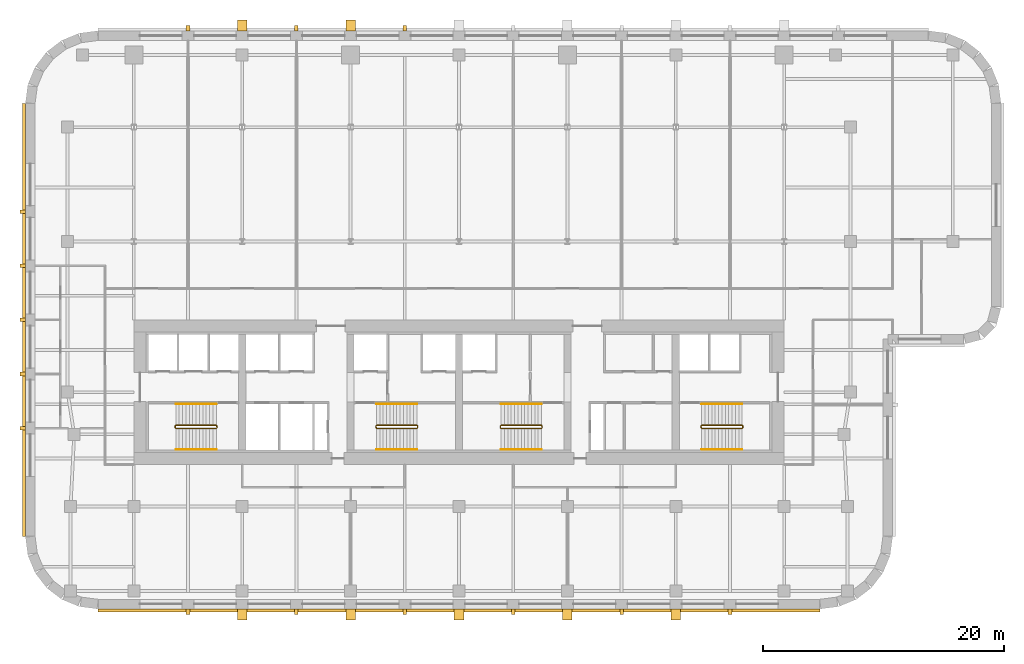
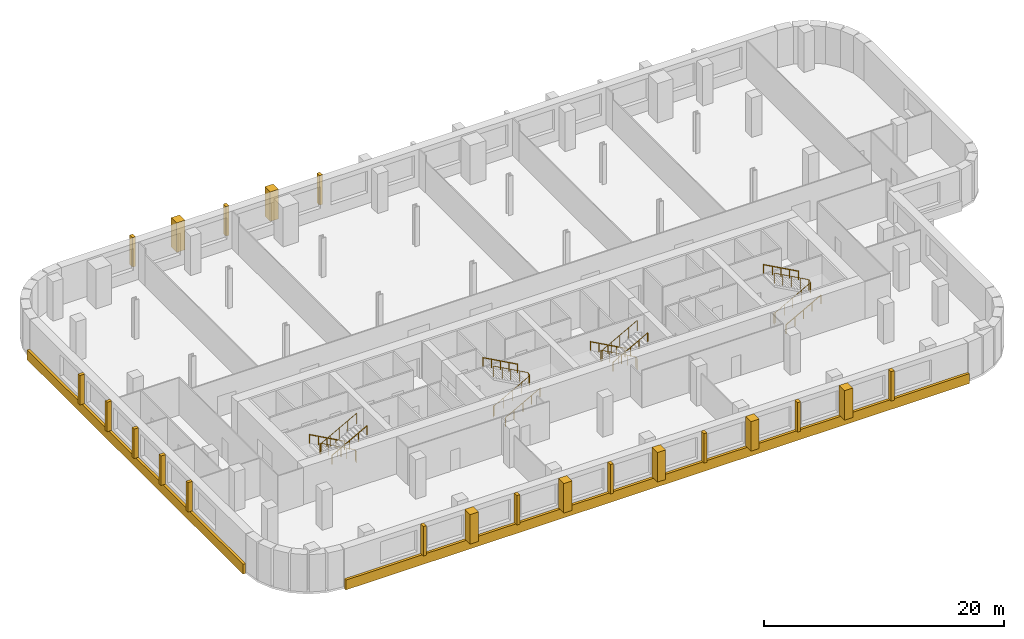
# One storey, part 8 of 9: 23 coverings, 12 railings.
"""IFC4 building model written with IfcOpenShell, lengths in metres."""

from ifc_helpers import new_model, si_unit, direction, frame, origin, origin_2d, place, context, subcontext, project, spatial, polyline, circle, outline, extrude, material, layer, layer_set, type_object, element, save


model = new_model("IFC4")

# Units and contexts
model_context = context("Model", 3, precision=1e-05, world=origin(), true_north=direction((0.0, 1.0)))
body_context = subcontext(model_context, "Body", "Model", "MODEL_VIEW")
ifc_project = project(units=[si_unit("LENGTHUNIT", "METRE"), si_unit("AREAUNIT", "SQUARE_METRE"), si_unit("VOLUMEUNIT", "CUBIC_METRE"), si_unit("PLANEANGLEUNIT", "RADIAN"), si_unit("MASSUNIT", "GRAM", prefix="KILO")], contexts=[model_context])

# Site, building, storey
site_placement = place(None, origin())
site = spatial("IfcSite", under=ifc_project, at=site_placement, CompositionType="ELEMENT")
building_placement = place(site_placement, origin())
building = spatial("IfcBuilding", under=site, at=building_placement, Name="Zellij Exchange Tower", CompositionType="ELEMENT")
storey_placement = place(building_placement, frame((0.0, 0.0, 140.5)))
storey = spatial("IfcBuildingStorey", under=building, at=storey_placement, Name="L31", CompositionType="ELEMENT", Elevation=140.5)

# Railings
ifc_material_1 = material(Name="Stainless steel", Category="steel")
railing_type_1 = type_object("IfcRailingType", Name="CORE-RG stair guard", PredefinedType="GUARDRAIL", material=ifc_material_1)
railing_1_placement = place(storey_placement, frame((-20.10009765625, -10.800048828125, 0.0)))
element("IfcRailing", 1, at=railing_1_placement, inside=storey, type_object=railing_type_1, Name="ST1 stair guard L31", PredefinedType="GUARDRAIL", context=body_context, shape_type="SweptSolid", body=[
    extrude(circle(Radius=0.02392578125, at=origin_2d()), frame((0.0, 0.0, 1.076171875), z_axis=(0.0, -1.0, 0.0), x_axis=(1.0, 0.0, 0.0)), (0.0, 0.0, 1.0), 0.14990234375),
    extrude(circle(Radius=0.02392578125, at=origin_2d()), frame((0.0, -0.14990234375, 1.076171875), z_axis=(-0.193691321961, 0.777613689637, 0.598164376644), x_axis=(-0.970351222016, -0.241699205484, 0.0)), (0.0, 0.0, 1.0), 0.257080078125),
    extrude(circle(Radius=0.02392578125, at=origin_2d()), frame((-0.0498046875, 0.050048828125, 1.22998046875), z_axis=(-0.876421534553, 0.0, 0.481544695509), x_axis=(0.0, -1.0, 0.0)), (0.0, 0.0, 1.0), 3.833984375),
    extrude(circle(Radius=0.02392578125, at=origin_2d()), frame((-3.409912109375, 0.050048828125, 3.076171875), z_axis=(-0.707106781187, -0.707106781187, 0.0), x_axis=(0.707106781187, -0.707106781187, 0.0)), (0.0, 0.0, 1.0), 0.07080078125),
    extrude(circle(Radius=0.02392578125, at=origin_2d()), frame((-3.4599609375, 0.0, 3.076171875), z_axis=(0.0, -1.0, 0.0), x_axis=(1.0, 0.0, 0.0)), (0.0, 0.0, 1.0), 0.14990234375),
    extrude(circle(Radius=0.02392578125, at=origin_2d()), frame((-3.4599609375, -0.14990234375, 3.076171875), z_axis=(0.295599637079, -0.295599637079, 0.908428152975), x_axis=(0.707106781187, 0.707106781187, 0.0)), (0.0, 0.0, 1.0), 0.16943359375),
    extrude(circle(Radius=0.02392578125, at=origin_2d()), frame((-3.409912109375, -0.199951171875, 3.22998046875), z_axis=(0.876421534553, 0.0, 0.481544695509), x_axis=(0.0, 1.0, 0.0)), (0.0, 0.0, 1.0), 3.833984375),
    extrude(circle(Radius=0.02099609375, at=origin_2d()), origin(), (0.0, 0.0, 1.0), 1.052001953125),
    extrude(circle(Radius=0.02099609375, at=origin_2d()), frame((0.0, -0.14990234375, 0.0)), (0.0, 0.0, 1.0), 1.052001953125),
    extrude(circle(Radius=0.02099609375, at=origin_2d()), frame((-0.0498046875, 0.050048828125, 0.15380859375)), (0.0, 0.0, 1.0), 1.052001953125),
    extrude(circle(Radius=0.02099609375, at=origin_2d()), frame((-0.889892578125, 0.050048828125, 0.615234375)), (0.0, 0.0, 1.0), 1.052001953125),
    extrude(circle(Radius=0.02099609375, at=origin_2d()), frame((-1.72998046875, 0.050048828125, 1.076904296875)), (0.0, 0.0, 1.0), 1.052001953125),
    extrude(circle(Radius=0.02099609375, at=origin_2d()), frame((-2.56982421875, 0.050048828125, 1.53857421875)), (0.0, 0.0, 1.0), 1.052001953125),
    extrude(circle(Radius=0.02099609375, at=origin_2d()), frame((-3.409912109375, 0.050048828125, 2.0)), (0.0, 0.0, 1.0), 1.052001953125),
    extrude(circle(Radius=0.02099609375, at=origin_2d()), frame((-3.4599609375, 0.0, 2.0)), (0.0, 0.0, 1.0), 1.052001953125),
    extrude(circle(Radius=0.02099609375, at=origin_2d()), frame((-3.4599609375, -0.14990234375, 2.0)), (0.0, 0.0, 1.0), 1.052001953125),
    extrude(circle(Radius=0.02099609375, at=origin_2d()), frame((-3.409912109375, -0.199951171875, 2.15380859375)), (0.0, 0.0, 1.0), 1.052001953125),
    extrude(circle(Radius=0.02099609375, at=origin_2d()), frame((-2.56982421875, -0.199951171875, 2.615234375)), (0.0, 0.0, 1.0), 1.052001953125),
    extrude(circle(Radius=0.02099609375, at=origin_2d()), frame((-1.72998046875, -0.199951171875, 3.076904296875)), (0.0, 0.0, 1.0), 1.052001953125),
    extrude(circle(Radius=0.02099609375, at=origin_2d()), frame((-0.889892578125, -0.199951171875, 3.53857421875)), (0.0, 0.0, 1.0), 1.052001953125),
    extrude(circle(Radius=0.02099609375, at=origin_2d()), frame((-0.0498046875, -0.199951171875, 4.0)), (0.0, 0.0, 1.0), 1.052001953125),
])
railing_2_placement = place(storey_placement, frame((-6.89990234375, -10.949951171875, 0.0)))
element("IfcRailing", 2, at=railing_2_placement, inside=storey, type_object=railing_type_1, Name="ST2 stair guard L31", PredefinedType="GUARDRAIL", context=body_context, shape_type="SweptSolid", body=[
    extrude(circle(Radius=0.02392578125, at=origin_2d()), frame((0.0, 0.0, 1.076171875), z_axis=(0.0, 1.0, 0.0), x_axis=(-1.0, 0.0, 0.0)), (0.0, 0.0, 1.0), 0.14990234375),
    extrude(circle(Radius=0.02392578125, at=origin_2d()), frame((0.0, 0.14990234375, 1.076171875), z_axis=(0.193691321961, -0.777613689637, 0.598164376644), x_axis=(0.970351222016, 0.241699205484, 0.0)), (0.0, 0.0, 1.0), 0.257080078125),
    extrude(circle(Radius=0.02392578125, at=origin_2d()), frame((0.0498046875, -0.050048828125, 1.22998046875), z_axis=(0.876421534553, 0.0, 0.481544695509), x_axis=(0.0, 1.0, 0.0)), (0.0, 0.0, 1.0), 3.833984375),
    extrude(circle(Radius=0.02392578125, at=origin_2d()), frame((3.409912109375, -0.050048828125, 3.076171875), z_axis=(0.707106781187, 0.707106781187, 0.0), x_axis=(-0.707106781187, 0.707106781187, 0.0)), (0.0, 0.0, 1.0), 0.07080078125),
    extrude(circle(Radius=0.02392578125, at=origin_2d()), frame((3.4599609375, 0.0, 3.076171875), z_axis=(0.0, 1.0, 0.0), x_axis=(-1.0, 0.0, 0.0)), (0.0, 0.0, 1.0), 0.14990234375),
    extrude(circle(Radius=0.02392578125, at=origin_2d()), frame((3.4599609375, 0.14990234375, 3.076171875), z_axis=(-0.295599637079, 0.295599637079, 0.908428152975), x_axis=(-0.707106781187, -0.707106781187, 0.0)), (0.0, 0.0, 1.0), 0.16943359375),
    extrude(circle(Radius=0.02392578125, at=origin_2d()), frame((3.409912109375, 0.199951171875, 3.22998046875), z_axis=(-0.876421534553, 0.0, 0.481544695509), x_axis=(0.0, -1.0, 0.0)), (0.0, 0.0, 1.0), 3.833984375),
    extrude(circle(Radius=0.02099609375, at=origin_2d()), origin(), (0.0, 0.0, 1.0), 1.052001953125),
    extrude(circle(Radius=0.02099609375, at=origin_2d()), frame((0.0, 0.14990234375, 0.0)), (0.0, 0.0, 1.0), 1.052001953125),
    extrude(circle(Radius=0.02099609375, at=origin_2d()), frame((0.0498046875, -0.050048828125, 0.15380859375)), (0.0, 0.0, 1.0), 1.052001953125),
    extrude(circle(Radius=0.02099609375, at=origin_2d()), frame((0.889892578125, -0.050048828125, 0.615234375)), (0.0, 0.0, 1.0), 1.052001953125),
    extrude(circle(Radius=0.02099609375, at=origin_2d()), frame((1.72998046875, -0.050048828125, 1.076904296875)), (0.0, 0.0, 1.0), 1.052001953125),
    extrude(circle(Radius=0.02099609375, at=origin_2d()), frame((2.56982421875, -0.050048828125, 1.53857421875)), (0.0, 0.0, 1.0), 1.052001953125),
    extrude(circle(Radius=0.02099609375, at=origin_2d()), frame((3.409912109375, -0.050048828125, 2.0)), (0.0, 0.0, 1.0), 1.052001953125),
    extrude(circle(Radius=0.02099609375, at=origin_2d()), frame((3.4599609375, 0.0, 2.0)), (0.0, 0.0, 1.0), 1.052001953125),
    extrude(circle(Radius=0.02099609375, at=origin_2d()), frame((3.4599609375, 0.14990234375, 2.0)), (0.0, 0.0, 1.0), 1.052001953125),
    extrude(circle(Radius=0.02099609375, at=origin_2d()), frame((3.409912109375, 0.199951171875, 2.15380859375)), (0.0, 0.0, 1.0), 1.052001953125),
    extrude(circle(Radius=0.02099609375, at=origin_2d()), frame((2.56982421875, 0.199951171875, 2.615234375)), (0.0, 0.0, 1.0), 1.052001953125),
    extrude(circle(Radius=0.02099609375, at=origin_2d()), frame((1.72998046875, 0.199951171875, 3.076904296875)), (0.0, 0.0, 1.0), 1.052001953125),
    extrude(circle(Radius=0.02099609375, at=origin_2d()), frame((0.889892578125, 0.199951171875, 3.53857421875)), (0.0, 0.0, 1.0), 1.052001953125),
    extrude(circle(Radius=0.02099609375, at=origin_2d()), frame((0.0498046875, 0.199951171875, 4.0)), (0.0, 0.0, 1.0), 1.052001953125),
])
railing_3_placement = place(storey_placement, frame((6.89990234375, -10.800048828125, 0.0)))
element("IfcRailing", 3, at=railing_3_placement, inside=storey, type_object=railing_type_1, Name="ST3 stair guard L31", PredefinedType="GUARDRAIL", context=body_context, shape_type="SweptSolid", body=[
    extrude(circle(Radius=0.02392578125, at=origin_2d()), frame((0.0, 0.0, 1.076171875), z_axis=(0.0, -1.0, 0.0), x_axis=(1.0, 0.0, 0.0)), (0.0, 0.0, 1.0), 0.14990234375),
    extrude(circle(Radius=0.02392578125, at=origin_2d()), frame((0.0, -0.14990234375, 1.076171875), z_axis=(-0.193691321961, 0.777613689637, 0.598164376644), x_axis=(-0.970351222016, -0.241699205484, 0.0)), (0.0, 0.0, 1.0), 0.257080078125),
    extrude(circle(Radius=0.02392578125, at=origin_2d()), frame((-0.0498046875, 0.050048828125, 1.22998046875), z_axis=(-0.876421534553, 0.0, 0.481544695509), x_axis=(0.0, -1.0, 0.0)), (0.0, 0.0, 1.0), 3.833984375),
    extrude(circle(Radius=0.02392578125, at=origin_2d()), frame((-3.409912109375, 0.050048828125, 3.076171875), z_axis=(-0.707106781187, -0.707106781187, 0.0), x_axis=(0.707106781187, -0.707106781187, 0.0)), (0.0, 0.0, 1.0), 0.07080078125),
    extrude(circle(Radius=0.02392578125, at=origin_2d()), frame((-3.4599609375, 0.0, 3.076171875), z_axis=(0.0, -1.0, 0.0), x_axis=(1.0, 0.0, 0.0)), (0.0, 0.0, 1.0), 0.14990234375),
    extrude(circle(Radius=0.02392578125, at=origin_2d()), frame((-3.4599609375, -0.14990234375, 3.076171875), z_axis=(0.295599637079, -0.295599637079, 0.908428152975), x_axis=(0.707106781187, 0.707106781187, 0.0)), (0.0, 0.0, 1.0), 0.16943359375),
    extrude(circle(Radius=0.02392578125, at=origin_2d()), frame((-3.409912109375, -0.199951171875, 3.22998046875), z_axis=(0.876421534553, 0.0, 0.481544695509), x_axis=(0.0, 1.0, 0.0)), (0.0, 0.0, 1.0), 3.833984375),
    extrude(circle(Radius=0.02099609375, at=origin_2d()), origin(), (0.0, 0.0, 1.0), 1.052001953125),
    extrude(circle(Radius=0.02099609375, at=origin_2d()), frame((0.0, -0.14990234375, 0.0)), (0.0, 0.0, 1.0), 1.052001953125),
    extrude(circle(Radius=0.02099609375, at=origin_2d()), frame((-0.0498046875, 0.050048828125, 0.15380859375)), (0.0, 0.0, 1.0), 1.052001953125),
    extrude(circle(Radius=0.02099609375, at=origin_2d()), frame((-0.889892578125, 0.050048828125, 0.615234375)), (0.0, 0.0, 1.0), 1.052001953125),
    extrude(circle(Radius=0.02099609375, at=origin_2d()), frame((-1.72998046875, 0.050048828125, 1.076904296875)), (0.0, 0.0, 1.0), 1.052001953125),
    extrude(circle(Radius=0.02099609375, at=origin_2d()), frame((-2.56982421875, 0.050048828125, 1.53857421875)), (0.0, 0.0, 1.0), 1.052001953125),
    extrude(circle(Radius=0.02099609375, at=origin_2d()), frame((-3.409912109375, 0.050048828125, 2.0)), (0.0, 0.0, 1.0), 1.052001953125),
    extrude(circle(Radius=0.02099609375, at=origin_2d()), frame((-3.4599609375, 0.0, 2.0)), (0.0, 0.0, 1.0), 1.052001953125),
    extrude(circle(Radius=0.02099609375, at=origin_2d()), frame((-3.4599609375, -0.14990234375, 2.0)), (0.0, 0.0, 1.0), 1.052001953125),
    extrude(circle(Radius=0.02099609375, at=origin_2d()), frame((-3.409912109375, -0.199951171875, 2.15380859375)), (0.0, 0.0, 1.0), 1.052001953125),
    extrude(circle(Radius=0.02099609375, at=origin_2d()), frame((-2.56982421875, -0.199951171875, 2.615234375)), (0.0, 0.0, 1.0), 1.052001953125),
    extrude(circle(Radius=0.02099609375, at=origin_2d()), frame((-1.72998046875, -0.199951171875, 3.076904296875)), (0.0, 0.0, 1.0), 1.052001953125),
    extrude(circle(Radius=0.02099609375, at=origin_2d()), frame((-0.889892578125, -0.199951171875, 3.53857421875)), (0.0, 0.0, 1.0), 1.052001953125),
    extrude(circle(Radius=0.02099609375, at=origin_2d()), frame((-0.0498046875, -0.199951171875, 4.0)), (0.0, 0.0, 1.0), 1.052001953125),
])
railing_4_placement = place(storey_placement, frame((20.10009765625, -10.949951171875, 0.0)))
element("IfcRailing", 4, at=railing_4_placement, inside=storey, type_object=railing_type_1, Name="ST4 stair guard L31", PredefinedType="GUARDRAIL", context=body_context, shape_type="SweptSolid", body=[
    extrude(circle(Radius=0.02392578125, at=origin_2d()), frame((0.0, 0.0, 1.076171875), z_axis=(0.0, 1.0, 0.0), x_axis=(-1.0, 0.0, 0.0)), (0.0, 0.0, 1.0), 0.14990234375),
    extrude(circle(Radius=0.02392578125, at=origin_2d()), frame((0.0, 0.14990234375, 1.076171875), z_axis=(0.193691321961, -0.777613689637, 0.598164376644), x_axis=(0.970351222016, 0.241699205484, 0.0)), (0.0, 0.0, 1.0), 0.257080078125),
    extrude(circle(Radius=0.02392578125, at=origin_2d()), frame((0.0498046875, -0.050048828125, 1.22998046875), z_axis=(0.876421534553, 0.0, 0.481544695509), x_axis=(0.0, 1.0, 0.0)), (0.0, 0.0, 1.0), 3.833984375),
    extrude(circle(Radius=0.02392578125, at=origin_2d()), frame((3.409912109375, -0.050048828125, 3.076171875), z_axis=(0.707106781187, 0.707106781187, 0.0), x_axis=(-0.707106781187, 0.707106781187, 0.0)), (0.0, 0.0, 1.0), 0.07080078125),
    extrude(circle(Radius=0.02392578125, at=origin_2d()), frame((3.4599609375, 0.0, 3.076171875), z_axis=(0.0, 1.0, 0.0), x_axis=(-1.0, 0.0, 0.0)), (0.0, 0.0, 1.0), 0.14990234375),
    extrude(circle(Radius=0.02392578125, at=origin_2d()), frame((3.4599609375, 0.14990234375, 3.076171875), z_axis=(-0.295599637079, 0.295599637079, 0.908428152975), x_axis=(-0.707106781187, -0.707106781187, 0.0)), (0.0, 0.0, 1.0), 0.16943359375),
    extrude(circle(Radius=0.02392578125, at=origin_2d()), frame((3.409912109375, 0.199951171875, 3.22998046875), z_axis=(-0.876421534553, 0.0, 0.481544695509), x_axis=(0.0, -1.0, 0.0)), (0.0, 0.0, 1.0), 3.833984375),
    extrude(circle(Radius=0.02099609375, at=origin_2d()), origin(), (0.0, 0.0, 1.0), 1.052001953125),
    extrude(circle(Radius=0.02099609375, at=origin_2d()), frame((0.0, 0.14990234375, 0.0)), (0.0, 0.0, 1.0), 1.052001953125),
    extrude(circle(Radius=0.02099609375, at=origin_2d()), frame((0.0498046875, -0.050048828125, 0.15380859375)), (0.0, 0.0, 1.0), 1.052001953125),
    extrude(circle(Radius=0.02099609375, at=origin_2d()), frame((0.889892578125, -0.050048828125, 0.615234375)), (0.0, 0.0, 1.0), 1.052001953125),
    extrude(circle(Radius=0.02099609375, at=origin_2d()), frame((1.72998046875, -0.050048828125, 1.076904296875)), (0.0, 0.0, 1.0), 1.052001953125),
    extrude(circle(Radius=0.02099609375, at=origin_2d()), frame((2.56982421875, -0.050048828125, 1.53857421875)), (0.0, 0.0, 1.0), 1.052001953125),
    extrude(circle(Radius=0.02099609375, at=origin_2d()), frame((3.409912109375, -0.050048828125, 2.0)), (0.0, 0.0, 1.0), 1.052001953125),
    extrude(circle(Radius=0.02099609375, at=origin_2d()), frame((3.4599609375, 0.0, 2.0)), (0.0, 0.0, 1.0), 1.052001953125),
    extrude(circle(Radius=0.02099609375, at=origin_2d()), frame((3.4599609375, 0.14990234375, 2.0)), (0.0, 0.0, 1.0), 1.052001953125),
    extrude(circle(Radius=0.02099609375, at=origin_2d()), frame((3.409912109375, 0.199951171875, 2.15380859375)), (0.0, 0.0, 1.0), 1.052001953125),
    extrude(circle(Radius=0.02099609375, at=origin_2d()), frame((2.56982421875, 0.199951171875, 2.615234375)), (0.0, 0.0, 1.0), 1.052001953125),
    extrude(circle(Radius=0.02099609375, at=origin_2d()), frame((1.72998046875, 0.199951171875, 3.076904296875)), (0.0, 0.0, 1.0), 1.052001953125),
    extrude(circle(Radius=0.02099609375, at=origin_2d()), frame((0.889892578125, 0.199951171875, 3.53857421875)), (0.0, 0.0, 1.0), 1.052001953125),
    extrude(circle(Radius=0.02099609375, at=origin_2d()), frame((0.0498046875, 0.199951171875, 4.0)), (0.0, 0.0, 1.0), 1.052001953125),
])
railing_type_2 = type_object("IfcRailingType", Name="CORE-RH stair handrail", PredefinedType="HANDRAIL", material=ifc_material_1)
railing_5_placement = place(storey_placement, frame((-20.14990234375, -9.0, 0.15380859375)))
element("IfcRailing", 5, at=railing_5_placement, inside=storey, type_object=railing_type_2, Name="ST1 stair handrail L31", PredefinedType="HANDRAIL", context=body_context, shape_type="SweptSolid", body=[
    extrude(circle(Radius=0.02392578125, at=origin_2d()), frame((0.0, 0.0, 0.8759765625), z_axis=(-0.876421534553, 0.0, 0.481544695509), x_axis=(0.0, -1.0, 0.0)), (0.0, 0.0, 1.0), 3.833984375),
    extrude(circle(Radius=0.02099609375, at=origin_2d()), origin(), (0.0, 0.0, 1.0), 0.851806640625),
    extrude(circle(Radius=0.02099609375, at=origin_2d()), frame((-0.840087890625, 0.0, 0.46142578125)), (0.0, 0.0, 1.0), 0.851806640625),
    extrude(circle(Radius=0.02099609375, at=origin_2d()), frame((-1.68017578125, 0.0, 0.923095703125)), (0.0, 0.0, 1.0), 0.851806640625),
    extrude(circle(Radius=0.02099609375, at=origin_2d()), frame((-2.52001953125, 0.0, 1.384765625)), (0.0, 0.0, 1.0), 0.851806640625),
    extrude(circle(Radius=0.02099609375, at=origin_2d()), frame((-3.360107421875, 0.0, 1.84619140625)), (0.0, 0.0, 1.0), 0.851806640625),
])
for number, where, name in (
    (6, (-23.510009765625, -12.75, 2.15380859375), "ST1 stair handrail L31"),
    (7, (-6.85009765625, -12.75, 0.15380859375), "ST2 stair handrail L31"),
):
    element("IfcRailing", number, at=place(storey_placement, frame(where)), inside=storey, type_object=railing_type_2, Name=name, PredefinedType="HANDRAIL", context=body_context, shape_type="SweptSolid", body=[
        extrude(circle(Radius=0.02392578125, at=origin_2d()), frame((0.0, 0.0, 0.8759765625), z_axis=(0.876421534553, 0.0, 0.481544695509), x_axis=(0.0, 1.0, 0.0)), (0.0, 0.0, 1.0), 3.833984375),
        extrude(circle(Radius=0.02099609375, at=origin_2d()), origin(), (0.0, 0.0, 1.0), 0.851806640625),
        extrude(circle(Radius=0.02099609375, at=origin_2d()), frame((0.840087890625, 0.0, 0.46142578125)), (0.0, 0.0, 1.0), 0.851806640625),
        extrude(circle(Radius=0.02099609375, at=origin_2d()), frame((1.68017578125, 0.0, 0.923095703125)), (0.0, 0.0, 1.0), 0.851806640625),
        extrude(circle(Radius=0.02099609375, at=origin_2d()), frame((2.52001953125, 0.0, 1.384765625)), (0.0, 0.0, 1.0), 0.851806640625),
        extrude(circle(Radius=0.02099609375, at=origin_2d()), frame((3.360107421875, 0.0, 1.84619140625)), (0.0, 0.0, 1.0), 0.851806640625),
    ])
for number, where, name in (
    (8, (-3.489990234375, -9.0, 2.15380859375), "ST2 stair handrail L31"),
    (9, (6.85009765625, -9.0, 0.15380859375), "ST3 stair handrail L31"),
):
    element("IfcRailing", number, at=place(storey_placement, frame(where)), inside=storey, type_object=railing_type_2, Name=name, PredefinedType="HANDRAIL", context=body_context, shape_type="SweptSolid", body=[
        extrude(circle(Radius=0.02392578125, at=origin_2d()), frame((0.0, 0.0, 0.8759765625), z_axis=(-0.876421534553, 0.0, 0.481544695509), x_axis=(0.0, -1.0, 0.0)), (0.0, 0.0, 1.0), 3.833984375),
        extrude(circle(Radius=0.02099609375, at=origin_2d()), origin(), (0.0, 0.0, 1.0), 0.851806640625),
        extrude(circle(Radius=0.02099609375, at=origin_2d()), frame((-0.840087890625, 0.0, 0.46142578125)), (0.0, 0.0, 1.0), 0.851806640625),
        extrude(circle(Radius=0.02099609375, at=origin_2d()), frame((-1.68017578125, 0.0, 0.923095703125)), (0.0, 0.0, 1.0), 0.851806640625),
        extrude(circle(Radius=0.02099609375, at=origin_2d()), frame((-2.52001953125, 0.0, 1.384765625)), (0.0, 0.0, 1.0), 0.851806640625),
        extrude(circle(Radius=0.02099609375, at=origin_2d()), frame((-3.360107421875, 0.0, 1.84619140625)), (0.0, 0.0, 1.0), 0.851806640625),
    ])
for number, where, name in (
    (10, (3.489990234375, -12.75, 2.15380859375), "ST3 stair handrail L31"),
    (11, (20.14990234375, -12.75, 0.15380859375), "ST4 stair handrail L31"),
):
    element("IfcRailing", number, at=place(storey_placement, frame(where)), inside=storey, type_object=railing_type_2, Name=name, PredefinedType="HANDRAIL", context=body_context, shape_type="SweptSolid", body=[
        extrude(circle(Radius=0.02392578125, at=origin_2d()), frame((0.0, 0.0, 0.8759765625), z_axis=(0.876421534553, 0.0, 0.481544695509), x_axis=(0.0, 1.0, 0.0)), (0.0, 0.0, 1.0), 3.833984375),
        extrude(circle(Radius=0.02099609375, at=origin_2d()), origin(), (0.0, 0.0, 1.0), 0.851806640625),
        extrude(circle(Radius=0.02099609375, at=origin_2d()), frame((0.840087890625, 0.0, 0.46142578125)), (0.0, 0.0, 1.0), 0.851806640625),
        extrude(circle(Radius=0.02099609375, at=origin_2d()), frame((1.68017578125, 0.0, 0.923095703125)), (0.0, 0.0, 1.0), 0.851806640625),
        extrude(circle(Radius=0.02099609375, at=origin_2d()), frame((2.52001953125, 0.0, 1.384765625)), (0.0, 0.0, 1.0), 0.851806640625),
        extrude(circle(Radius=0.02099609375, at=origin_2d()), frame((3.360107421875, 0.0, 1.84619140625)), (0.0, 0.0, 1.0), 0.851806640625),
    ])
railing_6_placement = place(storey_placement, frame((23.510009765625, -9.0, 2.15380859375)))
element("IfcRailing", 12, at=railing_6_placement, inside=storey, type_object=railing_type_2, Name="ST4 stair handrail L31", PredefinedType="HANDRAIL", context=body_context, shape_type="SweptSolid", body=[
    extrude(circle(Radius=0.02392578125, at=origin_2d()), frame((0.0, 0.0, 0.8759765625), z_axis=(-0.876421534553, 0.0, 0.481544695509), x_axis=(0.0, -1.0, 0.0)), (0.0, 0.0, 1.0), 3.833984375),
    extrude(circle(Radius=0.02099609375, at=origin_2d()), origin(), (0.0, 0.0, 1.0), 0.851806640625),
    extrude(circle(Radius=0.02099609375, at=origin_2d()), frame((-0.840087890625, 0.0, 0.46142578125)), (0.0, 0.0, 1.0), 0.851806640625),
    extrude(circle(Radius=0.02099609375, at=origin_2d()), frame((-1.68017578125, 0.0, 0.923095703125)), (0.0, 0.0, 1.0), 0.851806640625),
    extrude(circle(Radius=0.02099609375, at=origin_2d()), frame((-2.52001953125, 0.0, 1.384765625)), (0.0, 0.0, 1.0), 0.851806640625),
    extrude(circle(Radius=0.02099609375, at=origin_2d()), frame((-3.360107421875, 0.0, 1.84619140625)), (0.0, 0.0, 1.0), 0.851806640625),
])

# Coverings
ifc_material_2 = material(Name="Limestone cladding", Category="masonry")
covering_type_1 = type_object("IfcCoveringType", Name="ENV-CV5 Stone pier 800x900", PredefinedType="CLADDING", material=ifc_material_2)
covering_1_placement = place(storey_placement, frame((0.0, 0.0, 0.800048828125)))
element("IfcCovering", 13, at=covering_1_placement, inside=storey, type_object=covering_type_1, Name="Stone pier", PredefinedType="CLADDING", context=body_context, shape_type="SweptSolid", body=[
    extrude(outline(polyline([(-18.39990234375, -26.0), (-17.60009765625, -26.0), (-17.60009765625, -26.89990234375), (-18.39990234375, -26.89990234375), (-18.39990234375, -26.0)])), origin(), (0.0, 0.0, 1.0), 3.0),
])
covering_2_placement = place(storey_placement, frame((0.0, 0.0, 0.800048828125)))
element("IfcCovering", 14, at=covering_2_placement, inside=storey, type_object=covering_type_1, Name="Stone pier", PredefinedType="CLADDING", context=body_context, shape_type="SweptSolid", body=[
    extrude(outline(polyline([(-9.39990234375, -26.0), (-8.60009765625, -26.0), (-8.60009765625, -26.89990234375), (-9.39990234375, -26.89990234375), (-9.39990234375, -26.0)])), origin(), (0.0, 0.0, 1.0), 3.0),
])
covering_3_placement = place(storey_placement, frame((0.0, 0.0, 0.800048828125)))
element("IfcCovering", 15, at=covering_3_placement, inside=storey, type_object=covering_type_1, Name="Stone pier", PredefinedType="CLADDING", context=body_context, shape_type="SweptSolid", body=[
    extrude(outline(polyline([(-0.39990234375, -26.0), (0.39990234375, -26.0), (0.39990234375, -26.89990234375), (-0.39990234375, -26.89990234375), (-0.39990234375, -26.0)])), origin(), (0.0, 0.0, 1.0), 3.0),
])
covering_4_placement = place(storey_placement, frame((0.0, 0.0, 0.800048828125)))
element("IfcCovering", 16, at=covering_4_placement, inside=storey, type_object=covering_type_1, Name="Stone pier", PredefinedType="CLADDING", context=body_context, shape_type="SweptSolid", body=[
    extrude(outline(polyline([(8.60009765625, -26.0), (9.39990234375, -26.0), (9.39990234375, -26.89990234375), (8.60009765625, -26.89990234375), (8.60009765625, -26.0)])), origin(), (0.0, 0.0, 1.0), 3.0),
])
covering_5_placement = place(storey_placement, frame((0.0, 0.0, 0.800048828125)))
element("IfcCovering", 17, at=covering_5_placement, inside=storey, type_object=covering_type_1, Name="Stone pier", PredefinedType="CLADDING", context=body_context, shape_type="SweptSolid", body=[
    extrude(outline(polyline([(17.60009765625, -26.0), (18.39990234375, -26.0), (18.39990234375, -26.89990234375), (17.60009765625, -26.89990234375), (17.60009765625, -26.0)])), origin(), (0.0, 0.0, 1.0), 3.0),
])
covering_6_placement = place(storey_placement, frame((0.0, 0.0, 0.800048828125)))
element("IfcCovering", 18, at=covering_6_placement, inside=storey, type_object=covering_type_1, Name="Stone pier", PredefinedType="CLADDING", context=body_context, shape_type="SweptSolid", body=[
    extrude(outline(polyline([(-8.60009765625, 22.0), (-9.39990234375, 22.0), (-9.39990234375, 22.89990234375), (-8.60009765625, 22.89990234375), (-8.60009765625, 22.0)])), origin(), (0.0, 0.0, 1.0), 3.0),
])
covering_7_placement = place(storey_placement, frame((0.0, 0.0, 0.800048828125)))
element("IfcCovering", 19, at=covering_7_placement, inside=storey, type_object=covering_type_1, Name="Stone pier", PredefinedType="CLADDING", context=body_context, shape_type="SweptSolid", body=[
    extrude(outline(polyline([(-17.60009765625, 22.0), (-18.39990234375, 22.0), (-18.39990234375, 22.89990234375), (-17.60009765625, 22.89990234375), (-17.60009765625, 22.0)])), origin(), (0.0, 0.0, 1.0), 3.0),
])
covering_type_2 = type_object("IfcCoveringType", Name="ENV-CV7 Stone pier 300x450", PredefinedType="CLADDING", material=ifc_material_2)
covering_8_placement = place(storey_placement, frame((0.0, 0.0, 0.800048828125)))
element("IfcCovering", 20, at=covering_8_placement, inside=storey, type_object=covering_type_2, Name="Stone pier", PredefinedType="CLADDING", context=body_context, shape_type="SweptSolid", body=[
    extrude(outline(polyline([(-22.64990234375, -26.0), (-22.35009765625, -26.0), (-22.35009765625, -26.449951171875), (-22.64990234375, -26.449951171875), (-22.64990234375, -26.0)])), origin(), (0.0, 0.0, 1.0), 3.0),
])
covering_9_placement = place(storey_placement, frame((0.0, 0.0, 0.800048828125)))
element("IfcCovering", 21, at=covering_9_placement, inside=storey, type_object=covering_type_2, Name="Stone pier", PredefinedType="CLADDING", context=body_context, shape_type="SweptSolid", body=[
    extrude(outline(polyline([(-13.64990234375, -26.0), (-13.35009765625, -26.0), (-13.35009765625, -26.449951171875), (-13.64990234375, -26.449951171875), (-13.64990234375, -26.0)])), origin(), (0.0, 0.0, 1.0), 3.0),
])
covering_10_placement = place(storey_placement, frame((0.0, 0.0, 0.800048828125)))
element("IfcCovering", 22, at=covering_10_placement, inside=storey, type_object=covering_type_2, Name="Stone pier", PredefinedType="CLADDING", context=body_context, shape_type="SweptSolid", body=[
    extrude(outline(polyline([(-4.64990234375, -26.0), (-4.35009765625, -26.0), (-4.35009765625, -26.449951171875), (-4.64990234375, -26.449951171875), (-4.64990234375, -26.0)])), origin(), (0.0, 0.0, 1.0), 3.0),
])
covering_11_placement = place(storey_placement, frame((0.0, 0.0, 0.800048828125)))
element("IfcCovering", 23, at=covering_11_placement, inside=storey, type_object=covering_type_2, Name="Stone pier", PredefinedType="CLADDING", context=body_context, shape_type="SweptSolid", body=[
    extrude(outline(polyline([(4.35009765625, -26.0), (4.64990234375, -26.0), (4.64990234375, -26.449951171875), (4.35009765625, -26.449951171875), (4.35009765625, -26.0)])), origin(), (0.0, 0.0, 1.0), 3.0),
])
covering_12_placement = place(storey_placement, frame((0.0, 0.0, 0.800048828125)))
element("IfcCovering", 24, at=covering_12_placement, inside=storey, type_object=covering_type_2, Name="Stone pier", PredefinedType="CLADDING", context=body_context, shape_type="SweptSolid", body=[
    extrude(outline(polyline([(13.35009765625, -26.0), (13.64990234375, -26.0), (13.64990234375, -26.449951171875), (13.35009765625, -26.449951171875), (13.35009765625, -26.0)])), origin(), (0.0, 0.0, 1.0), 3.0),
])
covering_13_placement = place(storey_placement, frame((0.0, 0.0, 0.800048828125)))
element("IfcCovering", 25, at=covering_13_placement, inside=storey, type_object=covering_type_2, Name="Stone pier", PredefinedType="CLADDING", context=body_context, shape_type="SweptSolid", body=[
    extrude(outline(polyline([(22.35009765625, -26.0), (22.64990234375, -26.0), (22.64990234375, -26.449951171875), (22.35009765625, -26.449951171875), (22.35009765625, -26.0)])), origin(), (0.0, 0.0, 1.0), 3.0),
])
covering_14_placement = place(storey_placement, frame((0.0, 0.0, 0.800048828125)))
element("IfcCovering", 26, at=covering_14_placement, inside=storey, type_object=covering_type_2, Name="Stone pier", PredefinedType="CLADDING", context=body_context, shape_type="SweptSolid", body=[
    extrude(outline(polyline([(-4.35009765625, 22.0), (-4.64990234375, 22.0), (-4.64990234375, 22.449951171875), (-4.35009765625, 22.449951171875), (-4.35009765625, 22.0)])), origin(), (0.0, 0.0, 1.0), 3.0),
])
covering_15_placement = place(storey_placement, frame((0.0, 0.0, 0.800048828125)))
element("IfcCovering", 27, at=covering_15_placement, inside=storey, type_object=covering_type_2, Name="Stone pier", PredefinedType="CLADDING", context=body_context, shape_type="SweptSolid", body=[
    extrude(outline(polyline([(-13.35009765625, 22.0), (-13.64990234375, 22.0), (-13.64990234375, 22.449951171875), (-13.35009765625, 22.449951171875), (-13.35009765625, 22.0)])), origin(), (0.0, 0.0, 1.0), 3.0),
])
covering_16_placement = place(storey_placement, frame((0.0, 0.0, 0.800048828125)))
element("IfcCovering", 28, at=covering_16_placement, inside=storey, type_object=covering_type_2, Name="Stone pier", PredefinedType="CLADDING", context=body_context, shape_type="SweptSolid", body=[
    extrude(outline(polyline([(-22.35009765625, 22.0), (-22.64990234375, 22.0), (-22.64990234375, 22.449951171875), (-22.35009765625, 22.449951171875), (-22.35009765625, 22.0)])), origin(), (0.0, 0.0, 1.0), 3.0),
])
covering_17_placement = place(storey_placement, frame((0.0, 0.0, 0.800048828125)))
element("IfcCovering", 29, at=covering_17_placement, inside=storey, type_object=covering_type_2, Name="Stone pier", PredefinedType="CLADDING", context=body_context, shape_type="SweptSolid", body=[
    extrude(outline(polyline([(-36.0, 7.136962890625), (-36.0, 6.8369140625), (-36.449951171875, 6.8369140625), (-36.449951171875, 7.136962890625), (-36.0, 7.136962890625)])), origin(), (0.0, 0.0, 1.0), 3.0),
])
covering_18_placement = place(storey_placement, frame((0.0, 0.0, 0.800048828125)))
element("IfcCovering", 30, at=covering_18_placement, inside=storey, type_object=covering_type_2, Name="Stone pier", PredefinedType="CLADDING", context=body_context, shape_type="SweptSolid", body=[
    extrude(outline(polyline([(-36.0, 2.6435546875), (-36.0, 2.343505859375), (-36.449951171875, 2.343505859375), (-36.449951171875, 2.6435546875), (-36.0, 2.6435546875)])), origin(), (0.0, 0.0, 1.0), 3.0),
])
covering_19_placement = place(storey_placement, frame((0.0, 0.0, 0.800048828125)))
element("IfcCovering", 31, at=covering_19_placement, inside=storey, type_object=covering_type_2, Name="Stone pier", PredefinedType="CLADDING", context=body_context, shape_type="SweptSolid", body=[
    extrude(outline(polyline([(-36.0, -1.85009765625), (-36.0, -2.14990234375), (-36.449951171875, -2.14990234375), (-36.449951171875, -1.85009765625), (-36.0, -1.85009765625)])), origin(), (0.0, 0.0, 1.0), 3.0),
])
covering_20_placement = place(storey_placement, frame((0.0, 0.0, 0.800048828125)))
element("IfcCovering", 32, at=covering_20_placement, inside=storey, type_object=covering_type_2, Name="Stone pier", PredefinedType="CLADDING", context=body_context, shape_type="SweptSolid", body=[
    extrude(outline(polyline([(-36.0, -6.343505859375), (-36.0, -6.643310546875), (-36.449951171875, -6.643310546875), (-36.449951171875, -6.343505859375), (-36.0, -6.343505859375)])), origin(), (0.0, 0.0, 1.0), 3.0),
])
covering_21_placement = place(storey_placement, frame((0.0, 0.0, 0.800048828125)))
element("IfcCovering", 33, at=covering_21_placement, inside=storey, type_object=covering_type_2, Name="Stone pier", PredefinedType="CLADDING", context=body_context, shape_type="SweptSolid", body=[
    extrude(outline(polyline([(-36.0, -10.8369140625), (-36.0, -11.136962890625), (-36.449951171875, -11.136962890625), (-36.449951171875, -10.8369140625), (-36.0, -10.8369140625)])), origin(), (0.0, 0.0, 1.0), 3.0),
])
ifc_layer = layer(ifc_material_2, 0.25)
ifc_layer_set = layer_set([ifc_layer], Name="Limestone cladding")
covering_type_3 = type_object("IfcCoveringType", Name="ENV-CV8 Stone spandrel band 250", PredefinedType="CLADDING", material=ifc_layer_set)
covering_22_placement = place(storey_placement, frame((0.0, 0.0, -0.199951171875)))
element("IfcCovering", 34, at=covering_22_placement, inside=storey, type_object=covering_type_3, Name="Stone spandrel band", PredefinedType="CLADDING", context=body_context, shape_type="SweptSolid", body=[
    extrude(outline(polyline([(-29.973876953125, -26.0), (29.973876953125, -26.0), (29.990234375, -26.25), (-29.990234375, -26.25), (-29.973876953125, -26.0)])), origin(), (0.0, 0.0, 1.0), 1.0),
])
covering_23_placement = place(storey_placement, frame((0.0, 0.0, -0.199951171875)))
element("IfcCovering", 35, at=covering_23_placement, inside=storey, type_object=covering_type_3, Name="Stone spandrel band", PredefinedType="CLADDING", context=body_context, shape_type="SweptSolid", body=[
    extrude(outline(polyline([(-36.0, 15.973876953125), (-36.0, -19.973876953125), (-36.25, -19.990234375), (-36.25, 15.990234375), (-36.0, 15.973876953125)])), origin(), (0.0, 0.0, 1.0), 1.0),
])

save(model, "model.ifc")
